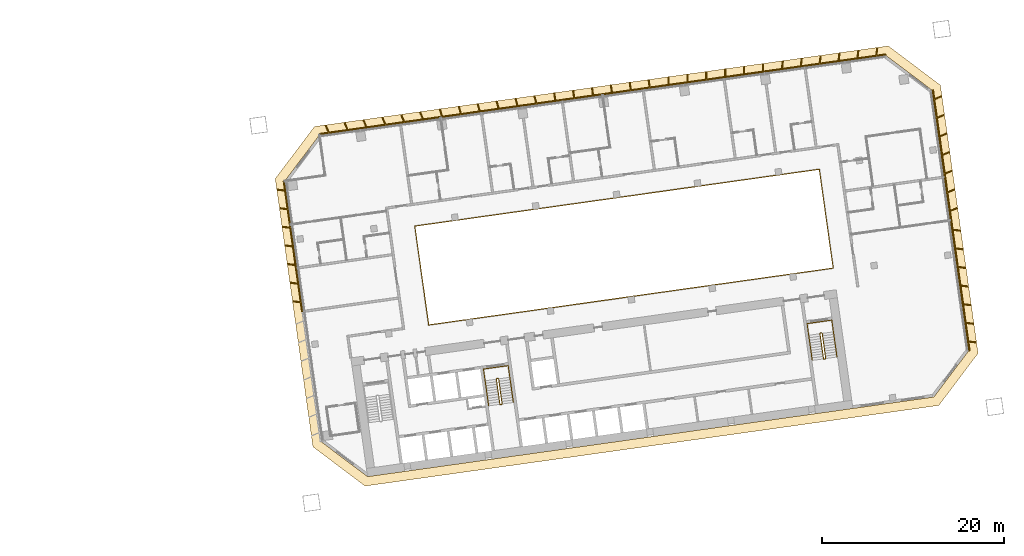
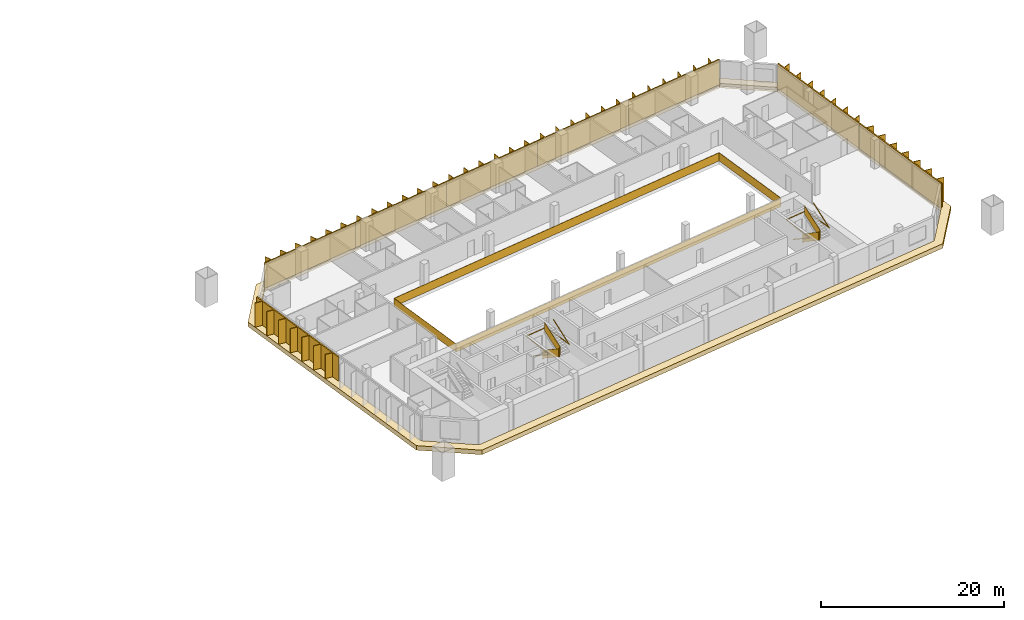
# One storey, part 24 of 24: 8 shading devices, 5 railings, 1 covering.
"""IFC4 building model written with IfcOpenShell, lengths in metres."""

from ifc_helpers import new_model, si_unit, direction, frame, origin, origin_2d, place, context, subcontext, project, spatial, polyline, rectangle, outline, extrude, material, layer, layer_set, type_object, element, save


model = new_model("IFC4")

# Units and contexts
model_context = context("Model", 3, precision=1e-05, world=origin(), true_north=direction((0.0, 1.0)))
body_context = subcontext(model_context, "Body", "Model", "MODEL_VIEW")
ifc_project = project(units=[si_unit("LENGTHUNIT", "METRE"), si_unit("AREAUNIT", "SQUARE_METRE"), si_unit("VOLUMEUNIT", "CUBIC_METRE"), si_unit("PLANEANGLEUNIT", "RADIAN"), si_unit("MASSUNIT", "GRAM", prefix="KILO")], contexts=[model_context])

# Site, building, storey
site_placement = place(None, origin())
site = spatial("IfcSite", under=ifc_project, at=site_placement, CompositionType="ELEMENT")
building_placement = place(site_placement, origin())
building = spatial("IfcBuilding", under=site, at=building_placement, Name="Mirante Cascada Hotel Towers", CompositionType="ELEMENT")
storey_placement = place(building_placement, frame((0.0, 0.0, 85.1)))
storey = spatial("IfcBuildingStorey", under=building, at=storey_placement, Name="L18", CompositionType="ELEMENT", Elevation=85.1)

# Railing
ifc_material_1 = material(Name="Toughened glass with stainless steel handrail", Category="steel")
railing_type_1 = type_object("IfcRailingType", Name="Atrium guard 1100 glass balustrade", PredefinedType="GUARDRAIL", material=ifc_material_1)
railing_1_placement = place(storey_placement, frame((43.8418, -3.4881, 0.0)))
element("IfcRailing", 1, at=railing_1_placement, inside=storey, type_object=railing_type_1, Name="GUARD 2-L18-1", PredefinedType="GUARDRAIL", context=body_context, shape_type="SweptSolid", body=[
    extrude(rectangle(XDim=0.048, YDim=0.048, at=origin_2d()), frame((0.0, 0.0, 1.076), z_axis=(0.9902681, 0.1391732, 0.0), x_axis=(-0.1391732, 0.9902681, 0.0)), (0.0, 0.0, 1.0), 45.0),
    extrude(rectangle(XDim=0.02, YDim=1.052, at=origin_2d()), frame((0.0, 0.0, 0.526), z_axis=(0.9902681, 0.1391732, 0.0), x_axis=(-0.1391732, 0.9902681, 0.0)), (0.0, 0.0, 1.0), 45.0),
    extrude(rectangle(XDim=0.048, YDim=0.048, at=origin_2d()), frame((44.5621, 6.2628, 1.076), z_axis=(-0.1391721, 0.9902682, 0.0), x_axis=(-0.9902682, -0.1391721, 0.0)), (0.0, 0.0, 1.0), 11.0001),
    extrude(rectangle(XDim=0.02, YDim=1.052, at=origin_2d()), frame((44.5621, 6.2628, 0.526), z_axis=(-0.1391721, 0.9902682, 0.0), x_axis=(-0.9902682, -0.1391721, 0.0)), (0.0, 0.0, 1.0), 11.0001),
    extrude(rectangle(XDim=0.048, YDim=0.048, at=origin_2d()), frame((43.0312, 17.1558, 1.076), z_axis=(-0.9902681, -0.1391732, 0.0), x_axis=(0.1391732, -0.9902681, 0.0)), (0.0, 0.0, 1.0), 45.0),
    extrude(rectangle(XDim=0.02, YDim=1.052, at=origin_2d()), frame((43.0312, 17.1558, 0.526), z_axis=(-0.9902681, -0.1391732, 0.0), x_axis=(0.1391732, -0.9902681, 0.0)), (0.0, 0.0, 1.0), 45.0),
    extrude(rectangle(XDim=0.048, YDim=0.048, at=origin_2d()), frame((-1.5309, 10.893, 1.076), z_axis=(0.1391721, -0.9902682, 0.0), x_axis=(0.9902682, 0.1391721, 0.0)), (0.0, 0.0, 1.0), 11.0001),
    extrude(rectangle(XDim=0.02, YDim=1.052, at=origin_2d()), frame((-1.5309, 10.893, 0.526), z_axis=(0.1391721, -0.9902682, 0.0), x_axis=(0.9902682, 0.1391721, 0.0)), (0.0, 0.0, 1.0), 11.0001),
])

# Covering
ifc_material_2 = material(Name="Precast concrete C40/50 white", Category="concrete")
ifc_layer = layer(ifc_material_2, 0.6)
ifc_layer_set = layer_set([ifc_layer], Name="Precast concrete SUNSHADE band 1000x600")
covering_type = type_object("IfcCoveringType", Name="Precast concrete SUNSHADE band 1000x600", PredefinedType="CLADDING", material=ifc_layer_set)
covering_placement = place(storey_placement, frame((0.0, 0.0, -0.45)))
element("IfcCovering", 2, at=covering_placement, inside=storey, type_object=covering_type, Name="Precast concrete SUNSHADE band T2 L18", PredefinedType="CLADDING", context=body_context, shape_type="SweptSolid", body=[
    extrude(outline(polyline([(26.9341, 12.6299), (31.2626, 18.374), (94.4698, 27.2572), (100.2139, 22.9287), (104.3652, -6.6094), (100.0367, -12.3535), (36.8295, -21.2367), (31.0854, -16.9082), (26.9341, 12.6299)]), holes=[polyline([(103.3173, -6.3384), (99.2813, 22.3794), (94.1988, 26.2093), (31.8119, 17.4414), (27.982, 12.3589), (32.018, -16.3589), (37.1005, -20.1888), (99.4874, -11.4209), (103.3173, -6.3384)])]), origin(), (0.0, 0.0, 1.0), 0.6),
])

# Railings
ifc_material_3 = material(Name="Painted steel", Category="steel")
railing_type_2 = type_object("IfcRailingType", Name="Stair guard 1100 steel balustrade", PredefinedType="GUARDRAIL", material=ifc_material_3)
railing_2_placement = place(storey_placement, frame((51.4864, -9.3815, 0.0)))
element("IfcRailing", 3, at=railing_2_placement, inside=storey, type_object=railing_type_2, Name="L18 ST2-B stair guard 1", PredefinedType="GUARDRAIL", context=body_context, shape_type="SweptSolid", body=[
    extrude(rectangle(XDim=0.048, YDim=0.048, at=origin_2d()), frame((0.0, 0.0, 1.076), z_axis=(-0.9902408, -0.1393672, 0.0), x_axis=(0.1393672, -0.9902408, 0.0)), (0.0, 0.0, 1.0), 0.15),
    extrude(rectangle(XDim=0.02, YDim=1.052, at=origin_2d()), frame((0.0, 0.0, 0.526), z_axis=(-0.9902408, -0.1393672, 0.0), x_axis=(0.1393672, -0.9902408, 0.0)), (0.0, 0.0, 1.0), 0.15),
    extrude(rectangle(XDim=0.048, YDim=0.048, at=origin_2d()), frame((-0.1485, -0.0209, 1.076), z_axis=(-0.6020331, -0.7984711, 0.0), x_axis=(0.7984711, -0.6020331, 0.0)), (0.0, 0.9253398, 0.3791387), 0.1866),
    extrude(rectangle(XDim=0.02, YDim=1.052, at=origin_2d()), frame((-0.1485, -0.0209, 0.526), z_axis=(-0.6020331, -0.7984711, 0.0), x_axis=(0.7984711, -0.6020331, 0.0)), (0.0, 0.9253398, 0.3791387), 0.1866),
    extrude(rectangle(XDim=0.048, YDim=0.048, at=origin_2d()), frame((-0.1911, -0.0774, 1.2487), z_axis=(0.139181, -0.990267, 0.0), x_axis=(0.990267, 0.139181, 0.0)), (0.0, 0.5250347, 0.8510808), 3.2899),
    extrude(rectangle(XDim=0.02, YDim=1.052, at=origin_2d()), frame((-0.1911, -0.0774, 0.6987), z_axis=(0.139181, -0.990267, 0.0), x_axis=(0.990267, 0.139181, 0.0)), (0.0, 0.5250347, 0.8510808), 3.2899),
    extrude(rectangle(XDim=0.048, YDim=0.048, at=origin_2d()), frame((0.1986, -2.8501, 2.976), z_axis=(0.9944441, -0.1052656, 0.0), x_axis=(0.1052656, 0.9944441, 0.0)), (0.0, 0.0, 1.0), 0.2061),
    extrude(rectangle(XDim=0.02, YDim=1.052, at=origin_2d()), frame((0.1986, -2.8501, 2.426), z_axis=(0.9944441, -0.1052656, 0.0), x_axis=(0.1052656, 0.9944441, 0.0)), (0.0, 0.0, 1.0), 0.2061),
    extrude(rectangle(XDim=0.048, YDim=0.048, at=origin_2d()), frame((0.4036, -2.8718, 2.976), z_axis=(-0.9902408, -0.1393672, 0.0), x_axis=(0.1393672, -0.9902408, 0.0)), (0.0, 0.0, 1.0), 0.15),
    extrude(rectangle(XDim=0.02, YDim=1.052, at=origin_2d()), frame((0.4036, -2.8718, 2.426), z_axis=(-0.9902408, -0.1393672, 0.0), x_axis=(0.1393672, -0.9902408, 0.0)), (0.0, 0.0, 1.0), 0.15),
    extrude(rectangle(XDim=0.048, YDim=0.048, at=origin_2d()), frame((0.2551, -2.8927, 2.976), z_axis=(0.9268624, 0.3754011, 0.0), x_axis=(-0.3754011, 0.9268624, 0.0)), (0.0, 0.6421217, 0.7666028), 0.269),
    extrude(rectangle(XDim=0.02, YDim=1.052, at=origin_2d()), frame((0.2551, -2.8927, 2.426), z_axis=(0.9268624, 0.3754011, 0.0), x_axis=(-0.3754011, 0.9268624, 0.0)), (0.0, 0.6421217, 0.7666028), 0.269),
    extrude(rectangle(XDim=0.048, YDim=0.048, at=origin_2d()), frame((0.4462, -2.8153, 3.1487), z_axis=(-0.139181, 0.990267, 0.0), x_axis=(-0.990267, -0.139181, 0.0)), (0.0, 0.5250347, 0.8510808), 3.2899),
    extrude(rectangle(XDim=0.02, YDim=1.052, at=origin_2d()), frame((0.4462, -2.8153, 2.5987), z_axis=(-0.139181, 0.990267, 0.0), x_axis=(-0.990267, -0.139181, 0.0)), (0.0, 0.5250347, 0.8510808), 3.2899),
])
railing_3_placement = place(storey_placement, frame((87.1361, -4.3713, 0.0)))
element("IfcRailing", 4, at=railing_3_placement, inside=storey, type_object=railing_type_2, Name="L18 ST2-C stair guard 1", PredefinedType="GUARDRAIL", context=body_context, shape_type="SweptSolid", body=[
    extrude(rectangle(XDim=0.048, YDim=0.048, at=origin_2d()), frame((0.0, 0.0, 1.076), z_axis=(-0.9902537, -0.1392753, 0.0), x_axis=(0.1392753, -0.9902537, 0.0)), (0.0, 0.0, 1.0), 0.1501),
    extrude(rectangle(XDim=0.02, YDim=1.052, at=origin_2d()), frame((0.0, 0.0, 0.526), z_axis=(-0.9902537, -0.1392753, 0.0), x_axis=(0.1392753, -0.9902537, 0.0)), (0.0, 0.0, 1.0), 0.1501),
    extrude(rectangle(XDim=0.048, YDim=0.048, at=origin_2d()), frame((-0.1486, -0.0209, 1.076), z_axis=(-0.601811, -0.7986386, 0.0), x_axis=(0.7986386, -0.601811, 0.0)), (0.0, 0.925603, 0.3784959), 0.1866),
    extrude(rectangle(XDim=0.02, YDim=1.052, at=origin_2d()), frame((-0.1486, -0.0209, 0.526), z_axis=(-0.601811, -0.7986386, 0.0), x_axis=(0.7986386, -0.601811, 0.0)), (0.0, 0.925603, 0.3784959), 0.1866),
    extrude(rectangle(XDim=0.048, YDim=0.048, at=origin_2d()), frame((-0.1911, -0.0773, 1.2487), z_axis=(0.139176, -0.9902677, 0.0), x_axis=(0.9902677, 0.139176, 0.0)), (0.0, 0.5250212, 0.8510891), 3.29),
    extrude(rectangle(XDim=0.02, YDim=1.052, at=origin_2d()), frame((-0.1911, -0.0773, 0.6987), z_axis=(0.139176, -0.9902677, 0.0), x_axis=(0.9902677, 0.139176, 0.0)), (0.0, 0.5250212, 0.8510891), 3.29),
    extrude(rectangle(XDim=0.048, YDim=0.048, at=origin_2d()), frame((0.1986, -2.8501, 2.976), z_axis=(0.9944441, -0.1052656, 0.0), x_axis=(0.1052656, 0.9944441, 0.0)), (0.0, 0.0, 1.0), 0.2061),
    extrude(rectangle(XDim=0.02, YDim=1.052, at=origin_2d()), frame((0.1986, -2.8501, 2.426), z_axis=(0.9944441, -0.1052656, 0.0), x_axis=(0.1052656, 0.9944441, 0.0)), (0.0, 0.0, 1.0), 0.2061),
    extrude(rectangle(XDim=0.048, YDim=0.048, at=origin_2d()), frame((0.4036, -2.8718, 2.976), z_axis=(-0.9903454, -0.1386217, 0.0), x_axis=(0.1386217, -0.9903454, 0.0)), (0.0, 0.0, 1.0), 0.15),
    extrude(rectangle(XDim=0.02, YDim=1.052, at=origin_2d()), frame((0.4036, -2.8718, 2.426), z_axis=(-0.9903454, -0.1386217, 0.0), x_axis=(0.1386217, -0.9903454, 0.0)), (0.0, 0.0, 1.0), 0.15),
    extrude(rectangle(XDim=0.048, YDim=0.048, at=origin_2d()), frame((0.255, -2.8926, 2.976), z_axis=(0.9270311, 0.3749843, 0.0), x_axis=(-0.3749843, 0.9270311, 0.0)), (0.0, 0.6421903, 0.7665452), 0.2689),
    extrude(rectangle(XDim=0.02, YDim=1.052, at=origin_2d()), frame((0.255, -2.8926, 2.426), z_axis=(0.9270311, 0.3749843, 0.0), x_axis=(-0.3749843, 0.9270311, 0.0)), (0.0, 0.6421903, 0.7665452), 0.2689),
    extrude(rectangle(XDim=0.048, YDim=0.048, at=origin_2d()), frame((0.4461, -2.8153, 3.1487), z_axis=(-0.139176, 0.9902677, 0.0), x_axis=(-0.9902677, -0.139176, 0.0)), (0.0, 0.5250212, 0.8510891), 3.29),
    extrude(rectangle(XDim=0.02, YDim=1.052, at=origin_2d()), frame((0.4461, -2.8153, 2.5987), z_axis=(-0.139176, 0.9902677, 0.0), x_axis=(-0.9902677, -0.139176, 0.0)), (0.0, 0.5250212, 0.8510891), 3.29),
])
ifc_material_4 = material(Name="Painted steel", Category="steel")
railing_type_3 = type_object("IfcRailingType", Name="Stair handrail 900 steel tube", PredefinedType="HANDRAIL", material=ifc_material_4)
railing_4_placement = place(storey_placement, frame((50.0575, -9.6328, 0.1727)))
element("IfcRailing", 5, at=railing_4_placement, inside=storey, type_object=railing_type_3, Name="L18 ST2-B stair handrail 1", PredefinedType="HANDRAIL", context=body_context, shape_type="SweptSolid", body=[
    extrude(rectangle(XDim=0.048, YDim=0.048, at=origin_2d()), frame((0.0, 0.0, 0.876), z_axis=(0.139176, -0.9902677, 0.0), x_axis=(0.9902677, 0.139176, 0.0)), (0.0, 0.5250212, 0.8510891), 3.29),
    extrude(rectangle(XDim=0.048, YDim=0.048, at=origin_2d()), frame((0.3897, -2.7728, 2.6033), z_axis=(-0.1391707, 0.9902684, 0.0), x_axis=(-0.9902684, -0.1391707, 0.0)), (0.0, 0.0420846, 0.999114), 4.1036),
    extrude(rectangle(XDim=0.048, YDim=0.048, at=origin_2d()), frame((-0.1809, 1.2873, 2.776), z_axis=(0.9902641, 0.1392013, 0.0), x_axis=(-0.1392013, 0.9902641, 0.0)), (0.0, 0.0, 1.0), 2.75),
    extrude(rectangle(XDim=0.048, YDim=0.048, at=origin_2d()), frame((2.5423, 1.6701, 2.776), z_axis=(0.1391707, -0.9902684, 0.0), x_axis=(0.9902684, 0.1391707, 0.0)), (0.0, 0.0, 1.0), 4.1),
    extrude(rectangle(XDim=0.048, YDim=0.048, at=origin_2d()), frame((3.1129, -2.39, 2.776), z_axis=(-0.139181, 0.990267, 0.0), x_axis=(-0.990267, -0.139181, 0.0)), (0.0, 0.5250347, 0.8510808), 3.2899),
])
railing_5_placement = place(storey_placement, frame((85.7071, -4.6226, 0.1727)))
element("IfcRailing", 6, at=railing_5_placement, inside=storey, type_object=railing_type_3, Name="L18 ST2-C stair handrail 1", PredefinedType="HANDRAIL", context=body_context, shape_type="SweptSolid", body=[
    extrude(rectangle(XDim=0.048, YDim=0.048, at=origin_2d()), frame((0.0, 0.0, 0.876), z_axis=(0.139181, -0.990267, 0.0), x_axis=(0.990267, 0.139181, 0.0)), (0.0, 0.5250347, 0.8510808), 3.2899),
    extrude(rectangle(XDim=0.048, YDim=0.048, at=origin_2d()), frame((0.3897, -2.7727, 2.6033), z_axis=(-0.1391707, 0.9902684, 0.0), x_axis=(-0.9902684, -0.1391707, 0.0)), (0.0, 0.0420846, 0.999114), 4.1036),
    extrude(rectangle(XDim=0.048, YDim=0.048, at=origin_2d()), frame((-0.1809, 1.2874, 2.776), z_axis=(0.9902691, 0.1391657, 0.0), x_axis=(-0.1391657, 0.9902691, 0.0)), (0.0, 0.0, 1.0), 2.75),
    extrude(rectangle(XDim=0.048, YDim=0.048, at=origin_2d()), frame((2.5423, 1.6701, 2.776), z_axis=(0.1391947, -0.990265, 0.0), x_axis=(0.990265, 0.1391947, 0.0)), (0.0, 0.0, 1.0), 4.1),
    extrude(rectangle(XDim=0.048, YDim=0.048, at=origin_2d()), frame((3.113, -2.39, 2.776), z_axis=(-0.139181, 0.990267, 0.0), x_axis=(-0.990267, -0.139181, 0.0)), (0.0, 0.5250347, 0.8510808), 3.2899),
])

# Shading devices
ifc_material_5 = material(Name="White precast concrete C50/60 fin", Category="concrete")
shading_device_type = type_object("IfcShadingDeviceType", Name="Vertical fin set 4500x900", PredefinedType="USERDEFINED", material=ifc_material_5)
shading_device_1_placement = place(storey_placement, origin())
element("IfcShadingDevice", 7, at=shading_device_1_placement, inside=storey, type_object=shading_device_type, Name="FIN T2 L18 front 1", ObjectType="FIN", PredefinedType="USERDEFINED", context=body_context, shape_type="SweptSolid", body=[
    extrude(outline(polyline([(82.8967, 25.5893), (82.7946, 24.758), (84.7922, 25.0387), (84.8968, 25.8913), (84.9762, 25.8815), (84.8742, 25.0503), (86.8717, 25.331), (86.9764, 26.1835), (87.0558, 26.1738), (86.9537, 25.3425), (88.9513, 25.6233), (89.056, 26.4758), (89.1354, 26.4661), (89.0333, 25.6348), (91.0308, 25.9155), (91.1355, 26.7681), (91.2149, 26.7583), (91.1129, 25.9271), (93.1104, 26.2078), (93.2151, 27.0603), (93.2945, 27.0506), (93.1924, 26.2193), (94.1779, 26.3578), (94.1988, 26.2093), (81.7214, 24.4557), (81.7006, 24.6042), (82.7126, 24.7465), (82.8173, 25.599), (82.8967, 25.5893)])), origin(), (0.0, 0.0, 1.0), 3.35),
])
shading_device_2_placement = place(storey_placement, origin())
element("IfcShadingDevice", 8, at=shading_device_2_placement, inside=storey, type_object=shading_device_type, Name="FIN T2 L18 front 2", ObjectType="FIN", PredefinedType="USERDEFINED", context=body_context, shape_type="SweptSolid", body=[
    extrude(outline(polyline([(70.3021, 23.8476), (70.3094, 23.0033), (72.3091, 23.2844), (72.3016, 24.1392), (72.3816, 24.1399), (72.389, 23.2956), (74.3886, 23.5766), (74.3812, 24.4314), (74.4612, 24.4321), (74.4686, 23.5878), (76.4682, 23.8689), (76.4608, 24.7237), (76.5407, 24.7244), (76.5481, 23.8801), (78.5478, 24.1611), (78.5403, 25.0159), (78.6203, 25.0166), (78.6277, 24.1724), (80.6273, 24.4534), (80.6199, 25.3082), (80.6999, 25.3089), (80.7072, 24.4646), (81.7006, 24.6042), (81.7214, 24.4557), (69.2441, 22.7021), (69.2232, 22.8507), (70.2295, 22.9921), (70.2221, 23.8469), (70.3021, 23.8476)])), origin(), (0.0, 0.0, 1.0), 3.35),
])
shading_device_3_placement = place(storey_placement, origin())
element("IfcShadingDevice", 9, at=shading_device_3_placement, inside=storey, type_object=shading_device_type, Name="FIN T2 L18 front 3", ObjectType="FIN", PredefinedType="USERDEFINED", context=body_context, shape_type="SweptSolid", body=[
    extrude(outline(polyline([(57.7069, 22.0905), (57.8252, 21.2488), (59.8255, 21.5299), (59.7072, 22.3716), (59.7865, 22.3828), (59.9048, 21.541), (61.9051, 21.8222), (61.7868, 22.6639), (61.866, 22.675), (61.9843, 21.8333), (63.9847, 22.1144), (63.8664, 22.9562), (63.9456, 22.9673), (64.0639, 22.1256), (66.0642, 22.4067), (65.9459, 23.2484), (66.0251, 23.2596), (66.1434, 22.4178), (68.1438, 22.699), (68.0255, 23.5407), (68.1047, 23.5518), (68.223, 22.7101), (69.2232, 22.8507), (69.2441, 22.7021), (56.7667, 20.9485), (56.7458, 21.0971), (57.746, 21.2376), (57.6277, 22.0794), (57.7069, 22.0905)])), origin(), (0.0, 0.0, 1.0), 3.35),
])
shading_device_4_placement = place(storey_placement, origin())
element("IfcShadingDevice", 10, at=shading_device_4_placement, inside=storey, type_object=shading_device_type, Name="FIN T2 L18 front 4", ObjectType="FIN", PredefinedType="USERDEFINED", context=body_context, shape_type="SweptSolid", body=[
    extrude(outline(polyline([(45.1132, 20.3181), (45.3416, 19.4943), (47.3413, 19.7754), (47.1157, 20.589), (47.1928, 20.6103), (47.4212, 19.7866), (49.4209, 20.0676), (49.1952, 20.8812), (49.2723, 20.9026), (49.5008, 20.0789), (51.5004, 20.3599), (51.2748, 21.1735), (51.3519, 21.1949), (51.5803, 20.3711), (53.58, 20.6521), (53.3544, 21.4657), (53.4314, 21.4871), (53.6599, 20.6634), (55.6595, 20.9444), (55.4339, 21.758), (55.511, 21.7794), (55.7394, 20.9556), (56.7458, 21.0971), (56.7667, 20.9485), (44.2893, 19.195), (44.2684, 19.3435), (45.2617, 19.4831), (45.0361, 20.2967), (45.1132, 20.3181)])), origin(), (0.0, 0.0, 1.0), 3.35),
])
shading_device_5_placement = place(storey_placement, origin())
element("IfcShadingDevice", 11, at=shading_device_5_placement, inside=storey, type_object=shading_device_type, Name="FIN T2 L18 front 5", ObjectType="FIN", PredefinedType="USERDEFINED", context=body_context, shape_type="SweptSolid", body=[
    extrude(outline(polyline([(32.5229, 18.5306), (32.8586, 17.7399), (34.8561, 18.0207), (34.5289, 18.7916), (34.6025, 18.8229), (34.9381, 18.0322), (36.9357, 18.3129), (36.6084, 19.0839), (36.6821, 19.1151), (37.0177, 18.3245), (39.0152, 18.6052), (38.688, 19.3761), (38.7616, 19.4074), (39.0973, 18.6167), (41.0948, 18.8975), (40.7676, 19.6684), (40.8412, 19.6997), (41.1768, 18.909), (43.1744, 19.1897), (42.8471, 19.9607), (42.9208, 19.9919), (43.2564, 19.2013), (44.2684, 19.3435), (44.2893, 19.195), (31.8119, 17.4414), (31.791, 17.5899), (32.7765, 17.7284), (32.4493, 18.4994), (32.5229, 18.5306)])), origin(), (0.0, 0.0, 1.0), 3.35),
])
shading_device_6_placement = place(storey_placement, origin())
element("IfcShadingDevice", 12, at=shading_device_6_placement, inside=storey, type_object=shading_device_type, Name="FIN T2 L18 inner 1", ObjectType="FIN", PredefinedType="USERDEFINED", context=body_context, shape_type="SweptSolid", body=[
    extrude(outline(polyline([(28.8684, -0.8389), (29.6997, -0.941), (29.4229, 1.0283), (28.5704, 1.133), (28.5801, 1.2124), (29.4114, 1.1103), (29.1346, 3.0796), (28.2821, 3.1842), (28.2918, 3.2636), (29.1231, 3.1616), (28.8464, 5.1308), (27.9938, 5.2355), (28.0036, 5.3149), (28.8348, 5.2128), (28.5581, 7.1821), (27.7055, 7.2868), (27.7153, 7.3662), (28.5465, 7.2641), (28.2698, 9.2334), (27.4172, 9.338), (27.427, 9.4174), (28.2583, 9.3154), (27.9815, 11.2846), (27.1289, 11.3893), (27.1387, 11.4687), (27.97, 11.3667), (27.8334, 12.338), (27.982, 12.3589), (30.0, -2.0), (29.8515, -2.0209), (29.7112, -1.023), (28.8587, -0.9183), (28.8684, -0.8389)])), origin(), (0.0, 0.0, 1.0), 3.35),
])
shading_device_7_placement = place(storey_placement, origin())
element("IfcShadingDevice", 13, at=shading_device_7_placement, inside=storey, type_object=shading_device_type, Name="FIN T2 L18 outer 1", ObjectType="FIN", PredefinedType="USERDEFINED", context=body_context, shape_type="SweptSolid", body=[
    extrude(outline(polyline([(104.1606, -5.4483), (103.3293, -5.3462), (103.4659, -6.3175), (103.3173, -6.3384), (101.2993, 8.0205), (101.4478, 8.0413), (101.5881, 7.0434), (102.4406, 6.9388), (102.4309, 6.8594), (101.5996, 6.9614), (101.8764, 4.9922), (102.7289, 4.8875), (102.7192, 4.8081), (101.8879, 4.9102), (102.1647, 2.9409), (103.0172, 2.8362), (103.0075, 2.7568), (102.1762, 2.8589), (102.4529, 0.8896), (103.3055, 0.785), (103.2957, 0.7056), (102.4645, 0.8076), (102.7412, -1.1616), (103.5938, -1.2663), (103.584, -1.3457), (102.7528, -1.2436), (103.0295, -3.2129), (103.8821, -3.3176), (103.8723, -3.397), (103.041, -3.2949), (103.3178, -5.2642), (104.1704, -5.3689), (104.1606, -5.4483)])), origin(), (0.0, 0.0, 1.0), 3.35),
])
shading_device_8_placement = place(storey_placement, origin())
element("IfcShadingDevice", 14, at=shading_device_8_placement, inside=storey, type_object=shading_device_type, Name="FIN T2 L18 outer 2", ObjectType="FIN", PredefinedType="USERDEFINED", context=body_context, shape_type="SweptSolid", body=[
    extrude(outline(polyline([(102.0983, 9.3749), (101.3076, 9.0392), (101.4478, 8.0413), (101.2993, 8.0205), (99.2813, 22.3794), (99.4298, 22.4002), (99.5663, 21.4289), (100.3373, 21.7561), (100.3685, 21.6825), (99.5779, 21.3469), (99.8546, 19.3776), (100.6256, 19.7048), (100.6568, 19.6312), (99.8662, 19.2956), (100.1429, 17.3263), (100.9139, 17.6536), (100.9451, 17.5799), (100.1544, 17.2443), (100.4312, 15.2751), (101.2021, 15.6023), (101.2334, 15.5287), (100.4427, 15.193), (100.7195, 13.2238), (101.4904, 13.551), (101.5217, 13.4774), (100.731, 13.1418), (101.0078, 11.1725), (101.7787, 11.4998), (101.81, 11.4261), (101.0193, 11.0905), (101.2961, 9.1212), (102.067, 9.4485), (102.0983, 9.3749)])), origin(), (0.0, 0.0, 1.0), 3.35),
])

save(model, "model.ifc")
